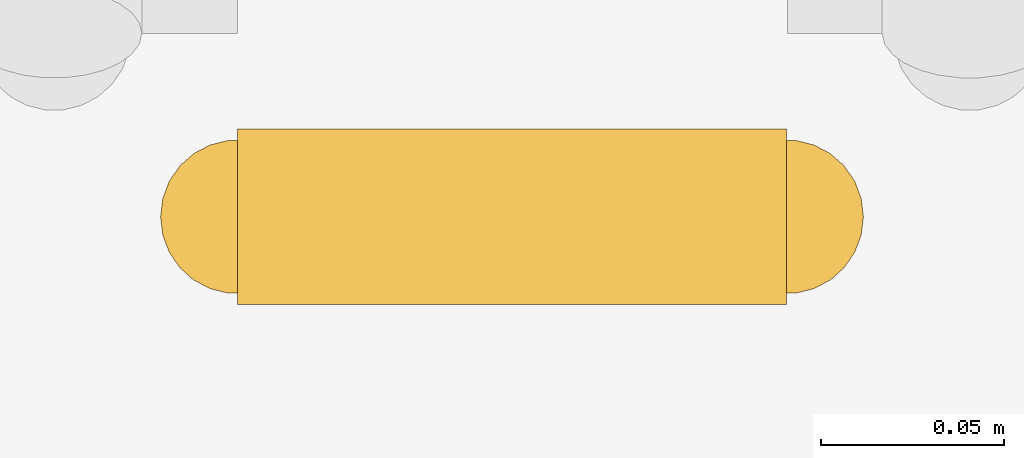
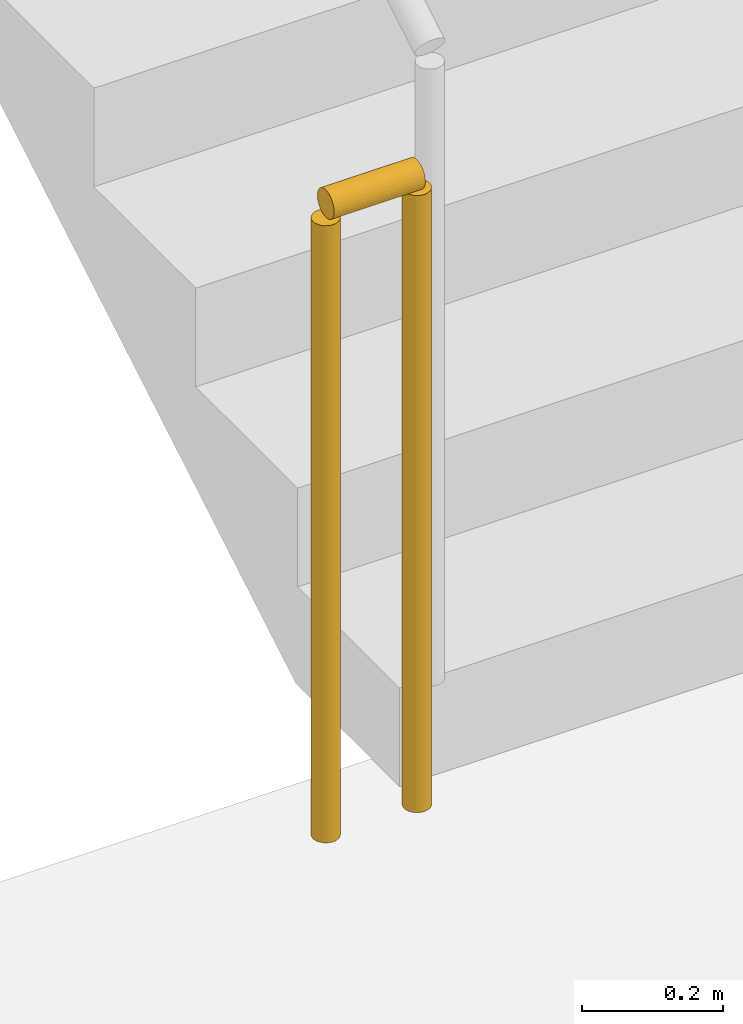
# One storey, part 19 of 22: 1 railing.
"""IFC4 building model written with IfcOpenShell, lengths in metres."""

from ifc_helpers import new_model, si_unit, direction, frame, origin, origin_2d, place, context, subcontext, project, spatial, circle, extrude, material, type_object, element, save


model = new_model("IFC4")

# Units and contexts
model_context = context("Model", 3, precision=1e-05, world=origin(), true_north=direction((0.0, 1.0)))
body_context = subcontext(model_context, "Body", "Model", "MODEL_VIEW")
ifc_project = project(units=[si_unit("LENGTHUNIT", "METRE"), si_unit("AREAUNIT", "SQUARE_METRE"), si_unit("VOLUMEUNIT", "CUBIC_METRE"), si_unit("PLANEANGLEUNIT", "RADIAN"), si_unit("MASSUNIT", "GRAM", prefix="KILO")], contexts=[model_context])

# Site, building, storey
site_placement = place(None, origin())
site = spatial("IfcSite", under=ifc_project, at=site_placement, CompositionType="ELEMENT")
building_placement = place(site_placement, origin())
building = spatial("IfcBuilding", under=site, at=building_placement, Name="Varnelok Gate Tower", CompositionType="ELEMENT")
storey_placement = place(building_placement, frame((0.0, 0.0, 116.89990234375)))
storey = spatial("IfcBuildingStorey", under=building, at=storey_placement, Name="L29", CompositionType="ELEMENT", Elevation=116.89990234375)

# Railing
ifc_material = material(Name="Galvanized Steel Grade S350GD", Category="steel")
railing_type = type_object("IfcRailingType", Name="RL-STAIR-GUARD1120", PredefinedType="GUARDRAIL", material=ifc_material)
railing_placement = place(storey_placement, frame((32.89990234375, 31.550048828125, 0.0)))
element("IfcRailing", 1, at=railing_placement, inside=storey, type_object=railing_type, Name="L29 ST-1 stair guard 4", PredefinedType="GUARDRAIL", context=body_context, shape_type="SweptSolid", body=[
    extrude(circle(Radius=0.02392578125, at=origin_2d()), frame((0.0, 0.0, 1.09619140625), z_axis=(-1.0, 0.0, 0.0), x_axis=(0.0, -1.0, 0.0)), (0.0, 0.0, 1.0), 0.14990234375),
    extrude(circle(Radius=0.02099609375, at=origin_2d()), origin(), (0.0, 0.0, 1.0), 1.072021484375),
    extrude(circle(Radius=0.02099609375, at=origin_2d()), frame((-0.14990234375, 0.0, 0.0)), (0.0, 0.0, 1.0), 1.072021484375),
])

save(model, "model.ifc")
